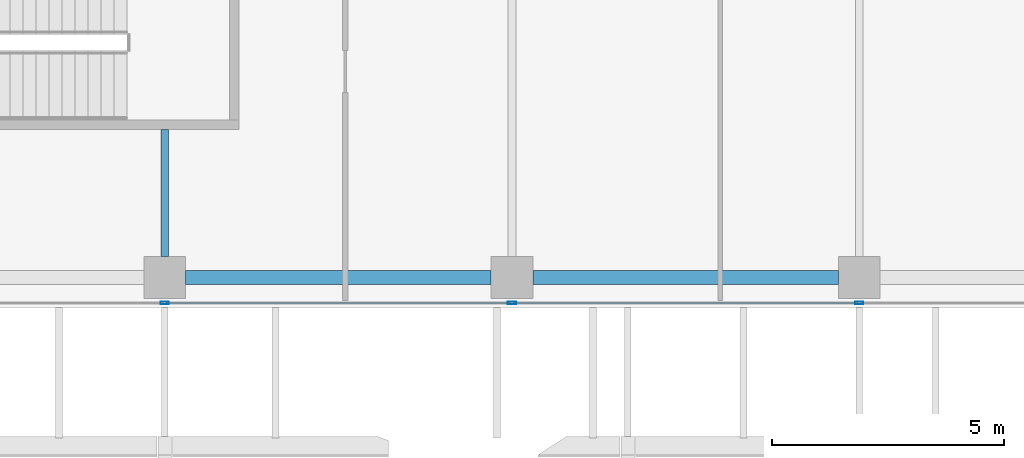
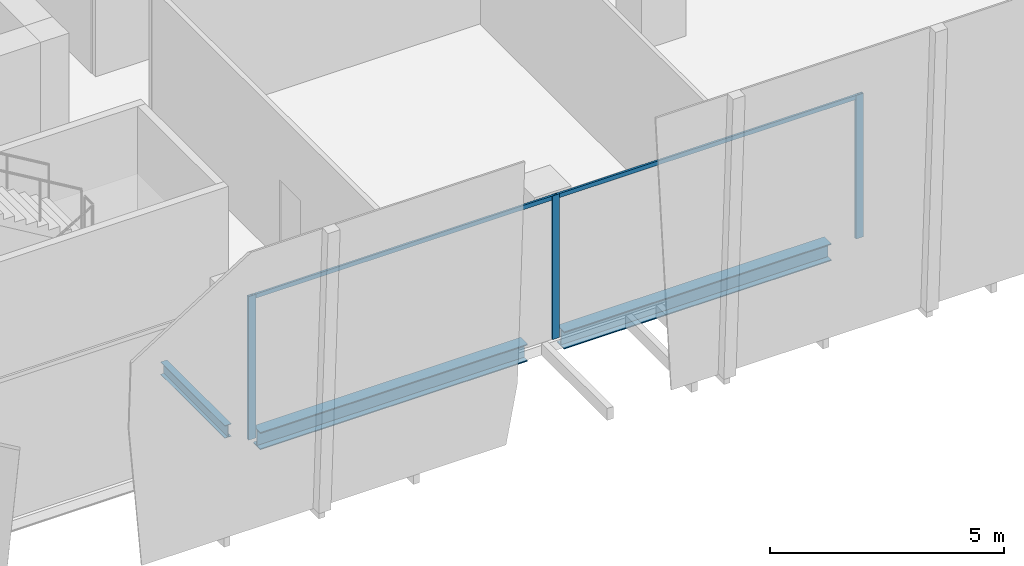
# One storey, part 4 of 35: 5 members, 3 beams, 1 element without a shape of its own.
"""IFC4 building model written with IfcOpenShell, lengths in metres."""

from ifc_helpers import new_model, si_unit, direction, frame, origin, origin_2d, place, context, subcontext, project, spatial, hollow_rectangle, i_section, extrude, source, transform, mapped, material, material_profile, profile_set, type_object, element, aggregate, save


model = new_model("IFC4")

# Units and contexts
model_context = context("Model", 3, precision=1e-05, world=origin(), true_north=direction((0.0, 1.0)))
body_context = subcontext(model_context, "Body", "Model", "MODEL_VIEW")
ifc_project = project(units=[si_unit("LENGTHUNIT", "METRE"), si_unit("AREAUNIT", "SQUARE_METRE"), si_unit("VOLUMEUNIT", "CUBIC_METRE"), si_unit("PLANEANGLEUNIT", "RADIAN"), si_unit("MASSUNIT", "GRAM", prefix="KILO")], contexts=[model_context])

# Site, building, storey
site_placement = place(None, origin())
site = spatial("IfcSite", under=ifc_project, at=site_placement, CompositionType="ELEMENT")
building_placement = place(site_placement, origin())
building = spatial("IfcBuilding", under=site, at=building_placement, Name="Khomas Fold Tower", CompositionType="ELEMENT")
storey_placement = place(building_placement, frame((0.0, 0.0, 258.199951171875)))
storey = spatial("IfcBuildingStorey", under=building, at=storey_placement, Name="L58", CompositionType="ELEMENT", Elevation=258.199951171875)

# Beams
ifc_material_1 = material(Name="Steel S355", Category="steel")
ifc_material_profile_1 = material_profile(ifc_material_1, i_section(OverallWidth=0.159912109375, OverallDepth=0.330078125, WebThickness=0.007568359375, FlangeThickness=0.011474609375, at=origin_2d()), Name="IPE 330")
ifc_profile_set_1 = profile_set([ifc_material_profile_1], Name="Steel S355")
beam_type_1 = type_object("IfcBeamType", Name="IPE 330 beam JB1", PredefinedType="BEAM", material=ifc_profile_set_1)
shared_shape_1 = source(origin(), body_context, "Body", "SweptSolid", [
    extrude(i_section(OverallWidth=0.159912109375, OverallDepth=0.330078125, WebThickness=0.007568359375, FlangeThickness=0.011474609375, at=origin_2d()), origin(), (0.0, 0.0, 1.0), 2.75),
])
beam_placement = place(storey_placement, frame((19.5, 5.60009765625, -0.4150390625), z_axis=(0.0, 1.0, 0.0), x_axis=(-1.0, 0.0, 0.0)))
element("IfcBeam", 1, at=beam_placement, inside=storey, type_object=beam_type_1, Name="JB1", PredefinedType="BEAM", context=body_context, shape_type="MappedRepresentation", body=[
    mapped(shared_shape_1, transform((0.0, 0.0, 0.0))),
])
ifc_material_2 = material(Name="Steel S355", Category="steel")
ifc_material_profile_2 = material_profile(ifc_material_2, i_section(OverallWidth=0.300048828125, OverallDepth=0.449951171875, WebThickness=0.013916015625, FlangeThickness=0.02587890625, at=origin_2d()), Name="HE 450 B")
ifc_profile_set_2 = profile_set([ifc_material_profile_2], Name="Steel S355")
beam_type_2 = type_object("IfcBeamType", Name="HE 450 B spandrel SB4", PredefinedType="SPANDREL", material=ifc_profile_set_2)
shared_shape_2 = source(origin(), body_context, "Body", "SweptSolid", [
    extrude(i_section(OverallWidth=0.300048828125, OverallDepth=0.449951171875, WebThickness=0.013916015625, FlangeThickness=0.02587890625, at=origin_2d()), origin(), (0.0, 0.0, 1.0), 6.60009765625),
])
for number, where, z_axis, x_axis, name in (
    (2, (19.949951171875, 5.14990234375, -0.474853515625), (1.0, 0.0, 0.0), (0.0, 1.0, 0.0), "SB4"),
    (3, (27.449951171875, 5.14990234375, -0.474853515625), (1.0, 0.0, 0.0), (0.0, 1.0, 0.0), "SB4"),
):
    element("IfcBeam", number, at=place(storey_placement, frame(where, z_axis=z_axis, x_axis=x_axis)), inside=storey, type_object=beam_type_2, Name=name, PredefinedType="SPANDREL", context=body_context, shape_type="MappedRepresentation", body=[
        mapped(shared_shape_2, transform((0.0, 0.0, 0.0))),
    ])

# Curtain wall, members
ifc_material_3 = material(Name="Aluminium framed double glazing", Category="aluminium")
curtain_wall_type = type_object("IfcCurtainWallType", Name="SK-Unitised clear-glass wall, office floors CW2", PredefinedType="NOTDEFINED", material=ifc_material_3)
curtain_wall_placement = place(storey_placement, origin())
curtain_wall = element("IfcCurtainWall", 4, at=curtain_wall_placement, inside=storey, type_object=curtain_wall_type, Name="CW2 run L58 00-0", PredefinedType="NOTDEFINED")
ifc_material_4 = material(Name="Aluminium", Category="aluminium")
ifc_material_profile_3 = material_profile(ifc_material_4, hollow_rectangle(XDim=0.06005859375, YDim=0.179931640625, WallThickness=0.00390625, at=origin_2d()), Name="SK-Unitised clear-glass wall, office floors mullion CW2-M")
ifc_profile_set_3 = profile_set([ifc_material_profile_3], Name="Aluminium")
member_type_1 = type_object("IfcMemberType", Name="SK-Unitised clear-glass wall, office floors mullion CW2-M", PredefinedType="MULLION", material=ifc_profile_set_3)
shared_shape_3 = source(origin(), body_context, "Body", "SweptSolid", [
    extrude(hollow_rectangle(XDim=0.06005859375, YDim=0.179931640625, WallThickness=0.00390625, at=origin_2d()), origin(), (0.0, 0.0, 1.0), 3.75),
])
member_1_placement = place(storey_placement, frame((19.5, 4.60009765625, 0.0), z_axis=(0.0, 0.0, 1.0), x_axis=(0.0, 1.0, 0.0)))
member_1 = element("IfcMember", 5, at=member_1_placement, type_object=member_type_1, Name="CW2 mullion 3", PredefinedType="MULLION", context=body_context, shape_type="MappedRepresentation", body=[
    mapped(shared_shape_3, transform((0.0, 0.0, 0.0))),
])
member_2_placement = place(storey_placement, frame((27.0, 4.60009765625, 0.0), z_axis=(0.0, 0.0, 1.0), x_axis=(0.0, 1.0, 0.0)))
member_2 = element("IfcMember", 6, at=member_2_placement, type_object=member_type_1, Name="CW2 mullion 4", PredefinedType="MULLION", context=body_context, shape_type="MappedRepresentation", body=[
    mapped(shared_shape_3, transform((0.0, 0.0, 0.0))),
])
member_3_placement = place(storey_placement, frame((34.5, 4.60009765625, 0.0), z_axis=(0.0, 0.0, 1.0), x_axis=(0.0, 1.0, 0.0)))
member_3 = element("IfcMember", 7, at=member_3_placement, type_object=member_type_1, Name="CW2 mullion 5", PredefinedType="MULLION", context=body_context, shape_type="MappedRepresentation", body=[
    mapped(shared_shape_3, transform((0.0, 0.0, 0.0))),
])
ifc_material_5 = material(Name="Aluminium", Category="aluminium")
ifc_material_profile_4 = material_profile(ifc_material_5, hollow_rectangle(XDim=0.050048828125, YDim=0.110107421875, WallThickness=0.00390625, at=origin_2d()), Name="SK-Unitised clear-glass wall, office floors transom CW2-T")
ifc_profile_set_4 = profile_set([ifc_material_profile_4], Name="Aluminium")
member_type_2 = type_object("IfcMemberType", Name="SK-Unitised clear-glass wall, office floors transom CW2-T", PredefinedType="USERDEFINED", material=ifc_profile_set_4)
shared_shape_4 = source(origin(), body_context, "Body", "SweptSolid", [
    extrude(hollow_rectangle(XDim=0.050048828125, YDim=0.110107421875, WallThickness=0.00390625, at=origin_2d()), origin(), (0.0, 0.0, 1.0), 7.43994140625),
])
member_4_placement = place(storey_placement, frame((19.530029296875, 4.60009765625, 3.695068359375), z_axis=(1.0, 0.0, 0.0), x_axis=(0.0, 1.0, 0.0)))
member_4 = element("IfcMember", 8, at=member_4_placement, type_object=member_type_2, Name="CW2 transom 3", ObjectType="TRANSOM", PredefinedType="USERDEFINED", context=body_context, shape_type="MappedRepresentation", body=[
    mapped(shared_shape_4, transform((0.0, 0.0, 0.0))),
])
member_5_placement = place(storey_placement, frame((27.030029296875, 4.60009765625, 3.695068359375), z_axis=(1.0, 0.0, 0.0), x_axis=(0.0, 1.0, 0.0)))
member_5 = element("IfcMember", 9, at=member_5_placement, type_object=member_type_2, Name="CW2 transom 4", ObjectType="TRANSOM", PredefinedType="USERDEFINED", context=body_context, shape_type="MappedRepresentation", body=[
    mapped(shared_shape_4, transform((0.0, 0.0, 0.0))),
])
aggregate(curtain_wall, [member_1, member_2, member_3, member_4, member_5])

save(model, "model.ifc")
